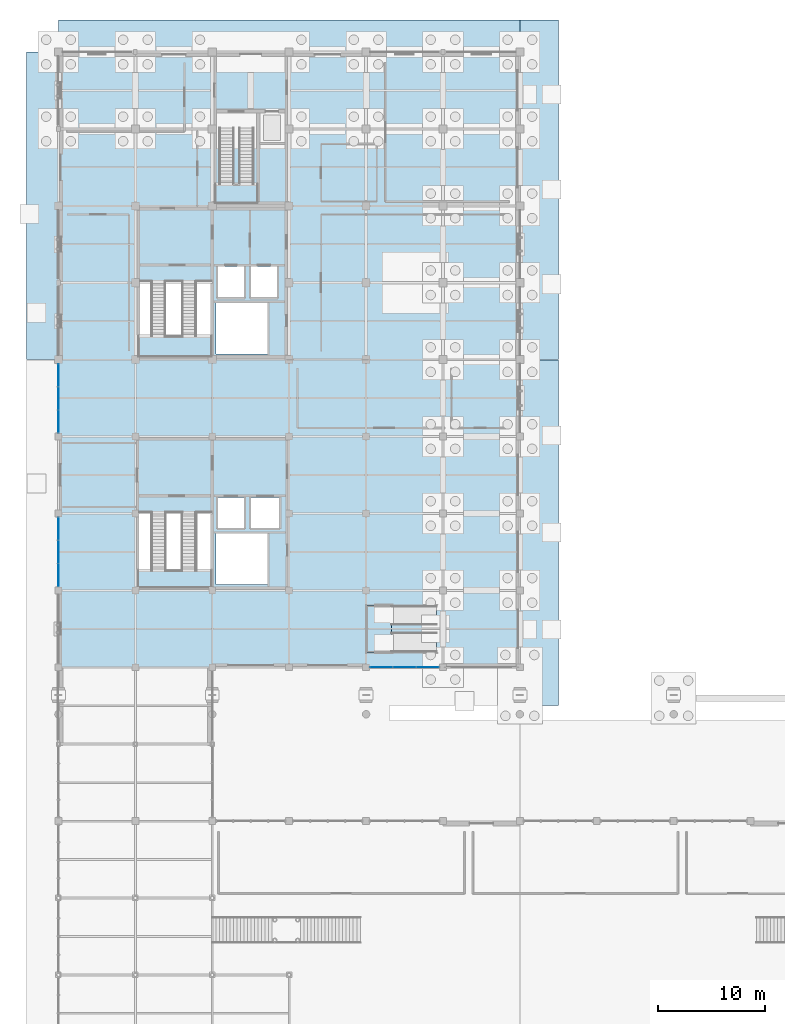
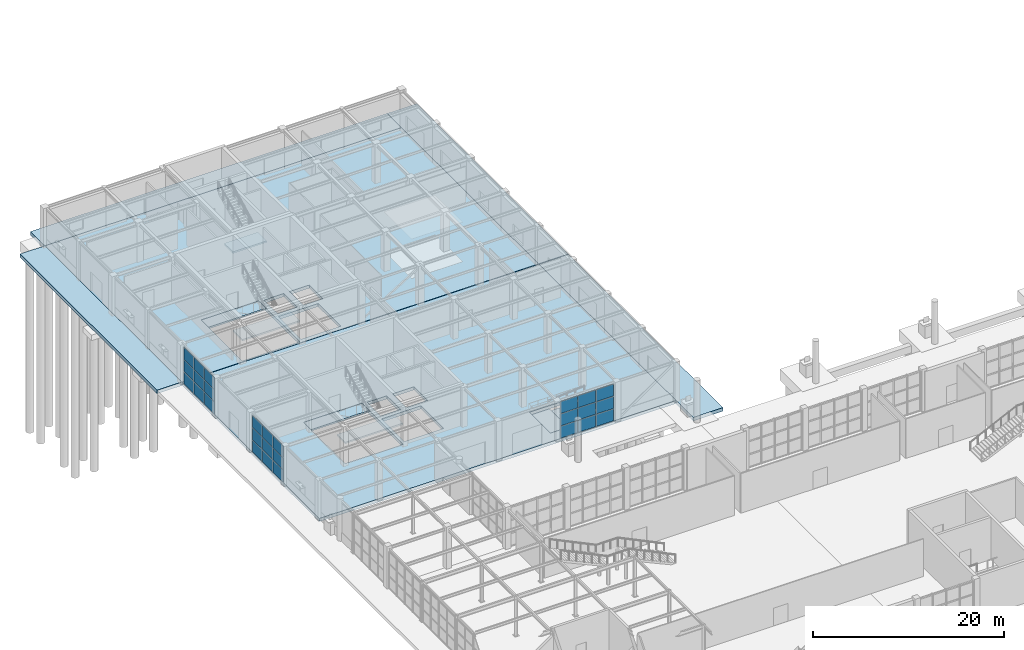
# One storey, part 48 of 75: 27 plates, 13 slabs, 7 elements without a shape of their own.
"""IFC4 building model written with IfcOpenShell, lengths in metres."""

from ifc_helpers import new_model, si_unit, direction, frame, origin, origin_2d, place, context, subcontext, project, spatial, polyline, rectangle, outline, extrude, material, layer, layer_set, type_object, element, aggregate, save


model = new_model("IFC4")

# Units and contexts
model_context = context("Model", 3, precision=1e-05, world=origin(), true_north=direction((0.0, 1.0)))
body_context = subcontext(model_context, "Body", "Model", "MODEL_VIEW")
ifc_project = project(units=[si_unit("LENGTHUNIT", "METRE"), si_unit("AREAUNIT", "SQUARE_METRE"), si_unit("VOLUMEUNIT", "CUBIC_METRE"), si_unit("PLANEANGLEUNIT", "RADIAN"), si_unit("MASSUNIT", "GRAM", prefix="KILO")], contexts=[model_context])

# Site, building, storey
site_placement = place(None, origin())
site = spatial("IfcSite", under=ifc_project, at=site_placement, CompositionType="ELEMENT")
building_placement = place(site_placement, origin())
building = spatial("IfcBuilding", under=site, at=building_placement, Name="Leyfeld Transit Interchange", CompositionType="ELEMENT")
storey_placement = place(building_placement, origin())
storey = spatial("IfcBuildingStorey", under=building, at=storey_placement, Name="L00", CompositionType="ELEMENT", Elevation=0.0)

# Curtain wall, plates
ifc_material_1 = material(Name="Anodised aluminium EN AW-6060 T66", Category="aluminium")
curtain_wall_type = type_object("IfcCurtainWallType", Name="CW-SYS-CYC-7200", PredefinedType="NOTDEFINED", material=ifc_material_1)
curtain_wall_1_placement = place(storey_placement, origin())
curtain_wall_1 = element("IfcCurtainWall", 1, at=curtain_wall_1_placement, inside=storey, type_object=curtain_wall_type, Name="Curtain Wall CW-L00-007", PredefinedType="NOTDEFINED")
ifc_material_2 = material(Name="Triple low-E insulated glazing", Category="glass")
ifc_layer_1 = layer(ifc_material_2, 0.0380859375, Name="Triple low-E insulated glazing")
ifc_layer_set_1 = layer_set([ifc_layer_1], Name="Triple low-E insulated glazing")
plate_type = type_object("IfcPlateType", Name="CW-PNL-GLZ-38", PredefinedType="CURTAIN_PANEL", material=ifc_layer_set_1)
plate_1_placement = place(storey_placement, frame((0.0, 73.42626953125, 0.0634765625), z_axis=(0.0, 0.0, 1.0), x_axis=(0.0, 1.0, 0.0)))
plate_1 = element("IfcPlate", 2, at=plate_1_placement, type_object=plate_type, Name="Glazed Curtain Panel CW-L00-007-P01_1", PredefinedType="CURTAIN_PANEL", context=body_context, shape_type="SweptSolid", body=[
    extrude(rectangle(XDim=2.095458984375, YDim=0.0380859375, at=origin_2d()), origin(), (0.0, 0.0, 1.0), 1.512939453125),
])
plate_2_placement = place(storey_placement, frame((0.0, 73.42626953125, 1.638671875), z_axis=(0.0, 0.0, 1.0), x_axis=(0.0, 1.0, 0.0)))
plate_2 = element("IfcPlate", 3, at=plate_2_placement, type_object=plate_type, Name="Glazed Curtain Panel CW-L00-007-P01_2", PredefinedType="CURTAIN_PANEL", context=body_context, shape_type="SweptSolid", body=[
    extrude(rectangle(XDim=2.095458984375, YDim=0.0380859375, at=origin_2d()), origin(), (0.0, 0.0, 1.0), 1.512939453125),
])
plate_3_placement = place(storey_placement, frame((0.0, 73.42626953125, 3.21337890625), z_axis=(0.0, 0.0, 1.0), x_axis=(0.0, 1.0, 0.0)))
plate_3 = element("IfcPlate", 4, at=plate_3_placement, type_object=plate_type, Name="Glazed Curtain Panel CW-L00-007-P01_3", PredefinedType="CURTAIN_PANEL", context=body_context, shape_type="SweptSolid", body=[
    extrude(rectangle(XDim=2.095458984375, YDim=0.0380859375, at=origin_2d()), origin(), (0.0, 0.0, 1.0), 1.512939453125),
])
plate_4_placement = place(storey_placement, frame((0.0, 75.60009765625, 0.0634765625), z_axis=(0.0, 0.0, 1.0), x_axis=(0.0, 1.0, 0.0)))
plate_4 = element("IfcPlate", 5, at=plate_4_placement, type_object=plate_type, Name="Glazed Curtain Panel CW-L00-007-P02_1", PredefinedType="CURTAIN_PANEL", context=body_context, shape_type="SweptSolid", body=[
    extrude(rectangle(XDim=2.1279296875, YDim=0.0380859375, at=origin_2d()), origin(), (0.0, 0.0, 1.0), 1.512939453125),
])
plate_5_placement = place(storey_placement, frame((0.0, 75.60009765625, 1.638671875), z_axis=(0.0, 0.0, 1.0), x_axis=(0.0, 1.0, 0.0)))
plate_5 = element("IfcPlate", 6, at=plate_5_placement, type_object=plate_type, Name="Glazed Curtain Panel CW-L00-007-P02_2", PredefinedType="CURTAIN_PANEL", context=body_context, shape_type="SweptSolid", body=[
    extrude(rectangle(XDim=2.1279296875, YDim=0.0380859375, at=origin_2d()), origin(), (0.0, 0.0, 1.0), 1.512939453125),
])
plate_6_placement = place(storey_placement, frame((0.0, 75.60009765625, 3.21337890625), z_axis=(0.0, 0.0, 1.0), x_axis=(0.0, 1.0, 0.0)))
plate_6 = element("IfcPlate", 7, at=plate_6_placement, type_object=plate_type, Name="Glazed Curtain Panel CW-L00-007-P02_3", PredefinedType="CURTAIN_PANEL", context=body_context, shape_type="SweptSolid", body=[
    extrude(rectangle(XDim=2.1279296875, YDim=0.0380859375, at=origin_2d()), origin(), (0.0, 0.0, 1.0), 1.512939453125),
])
plate_7_placement = place(storey_placement, frame((0.0, 77.773681640625, 0.0634765625), z_axis=(0.0, 0.0, 1.0), x_axis=(0.0, 1.0, 0.0)))
plate_7 = element("IfcPlate", 8, at=plate_7_placement, type_object=plate_type, Name="Glazed Curtain Panel CW-L00-007-P03_1", PredefinedType="CURTAIN_PANEL", context=body_context, shape_type="SweptSolid", body=[
    extrude(rectangle(XDim=2.095458984375, YDim=0.0380859375, at=origin_2d()), origin(), (0.0, 0.0, 1.0), 1.512939453125),
])
plate_8_placement = place(storey_placement, frame((0.0, 77.773681640625, 1.638671875), z_axis=(0.0, 0.0, 1.0), x_axis=(0.0, 1.0, 0.0)))
plate_8 = element("IfcPlate", 9, at=plate_8_placement, type_object=plate_type, Name="Glazed Curtain Panel CW-L00-007-P03_2", PredefinedType="CURTAIN_PANEL", context=body_context, shape_type="SweptSolid", body=[
    extrude(rectangle(XDim=2.095458984375, YDim=0.0380859375, at=origin_2d()), origin(), (0.0, 0.0, 1.0), 1.512939453125),
])
plate_9_placement = place(storey_placement, frame((0.0, 77.773681640625, 3.21337890625), z_axis=(0.0, 0.0, 1.0), x_axis=(0.0, 1.0, 0.0)))
plate_9 = element("IfcPlate", 10, at=plate_9_placement, type_object=plate_type, Name="Glazed Curtain Panel CW-L00-007-P03_3", PredefinedType="CURTAIN_PANEL", context=body_context, shape_type="SweptSolid", body=[
    extrude(rectangle(XDim=2.095458984375, YDim=0.0380859375, at=origin_2d()), origin(), (0.0, 0.0, 1.0), 1.512939453125),
])
aggregate(curtain_wall_1, [plate_1, plate_2, plate_3, plate_4, plate_5, plate_6, plate_7, plate_8, plate_9])

curtain_wall_2_placement = place(storey_placement, origin())
curtain_wall_2 = element("IfcCurtainWall", 11, at=curtain_wall_2_placement, inside=storey, type_object=curtain_wall_type, Name="Curtain Wall CW-L00-008", PredefinedType="NOTDEFINED")
plate_10_placement = place(storey_placement, frame((0.0, 87.81787109375, 0.0634765625), z_axis=(0.0, 0.0, 1.0), x_axis=(0.0, 1.0, 0.0)))
plate_10 = element("IfcPlate", 12, at=plate_10_placement, type_object=plate_type, Name="Glazed Curtain Panel CW-L00-008-P01_1", PredefinedType="CURTAIN_PANEL", context=body_context, shape_type="SweptSolid", body=[
    extrude(rectangle(XDim=2.078857421875, YDim=0.0380859375, at=origin_2d()), origin(), (0.0, 0.0, 1.0), 1.512939453125),
])
plate_11_placement = place(storey_placement, frame((0.0, 87.81787109375, 1.638671875), z_axis=(0.0, 0.0, 1.0), x_axis=(0.0, 1.0, 0.0)))
plate_11 = element("IfcPlate", 13, at=plate_11_placement, type_object=plate_type, Name="Glazed Curtain Panel CW-L00-008-P01_2", PredefinedType="CURTAIN_PANEL", context=body_context, shape_type="SweptSolid", body=[
    extrude(rectangle(XDim=2.078857421875, YDim=0.0380859375, at=origin_2d()), origin(), (0.0, 0.0, 1.0), 1.512939453125),
])
plate_12_placement = place(storey_placement, frame((0.0, 87.81787109375, 3.21337890625), z_axis=(0.0, 0.0, 1.0), x_axis=(0.0, 1.0, 0.0)))
plate_12 = element("IfcPlate", 14, at=plate_12_placement, type_object=plate_type, Name="Glazed Curtain Panel CW-L00-008-P01_3", PredefinedType="CURTAIN_PANEL", context=body_context, shape_type="SweptSolid", body=[
    extrude(rectangle(XDim=2.078857421875, YDim=0.0380859375, at=origin_2d()), origin(), (0.0, 0.0, 1.0), 1.512939453125),
])
plate_13_placement = place(storey_placement, frame((0.0, 89.97509765625, 0.0634765625), z_axis=(0.0, 0.0, 1.0), x_axis=(0.0, 1.0, 0.0)))
plate_13 = element("IfcPlate", 15, at=plate_13_placement, type_object=plate_type, Name="Glazed Curtain Panel CW-L00-008-P02_1", PredefinedType="CURTAIN_PANEL", context=body_context, shape_type="SweptSolid", body=[
    extrude(rectangle(XDim=2.111328125, YDim=0.0380859375, at=origin_2d()), origin(), (0.0, 0.0, 1.0), 1.512939453125),
])
plate_14_placement = place(storey_placement, frame((0.0, 89.97509765625, 1.638671875), z_axis=(0.0, 0.0, 1.0), x_axis=(0.0, 1.0, 0.0)))
plate_14 = element("IfcPlate", 16, at=plate_14_placement, type_object=plate_type, Name="Glazed Curtain Panel CW-L00-008-P02_2", PredefinedType="CURTAIN_PANEL", context=body_context, shape_type="SweptSolid", body=[
    extrude(rectangle(XDim=2.111328125, YDim=0.0380859375, at=origin_2d()), origin(), (0.0, 0.0, 1.0), 1.512939453125),
])
plate_15_placement = place(storey_placement, frame((0.0, 89.97509765625, 3.21337890625), z_axis=(0.0, 0.0, 1.0), x_axis=(0.0, 1.0, 0.0)))
plate_15 = element("IfcPlate", 17, at=plate_15_placement, type_object=plate_type, Name="Glazed Curtain Panel CW-L00-008-P02_3", PredefinedType="CURTAIN_PANEL", context=body_context, shape_type="SweptSolid", body=[
    extrude(rectangle(XDim=2.111328125, YDim=0.0380859375, at=origin_2d()), origin(), (0.0, 0.0, 1.0), 1.512939453125),
])
plate_16_placement = place(storey_placement, frame((0.0, 92.132080078125, 0.0634765625), z_axis=(0.0, 0.0, 1.0), x_axis=(0.0, 1.0, 0.0)))
plate_16 = element("IfcPlate", 18, at=plate_16_placement, type_object=plate_type, Name="Glazed Curtain Panel CW-L00-008-P03_1", PredefinedType="CURTAIN_PANEL", context=body_context, shape_type="SweptSolid", body=[
    extrude(rectangle(XDim=2.078857421875, YDim=0.0380859375, at=origin_2d()), origin(), (0.0, 0.0, 1.0), 1.512939453125),
])
plate_17_placement = place(storey_placement, frame((0.0, 92.132080078125, 1.638671875), z_axis=(0.0, 0.0, 1.0), x_axis=(0.0, 1.0, 0.0)))
plate_17 = element("IfcPlate", 19, at=plate_17_placement, type_object=plate_type, Name="Glazed Curtain Panel CW-L00-008-P03_2", PredefinedType="CURTAIN_PANEL", context=body_context, shape_type="SweptSolid", body=[
    extrude(rectangle(XDim=2.078857421875, YDim=0.0380859375, at=origin_2d()), origin(), (0.0, 0.0, 1.0), 1.512939453125),
])
plate_18_placement = place(storey_placement, frame((0.0, 92.132080078125, 3.21337890625), z_axis=(0.0, 0.0, 1.0), x_axis=(0.0, 1.0, 0.0)))
plate_18 = element("IfcPlate", 20, at=plate_18_placement, type_object=plate_type, Name="Glazed Curtain Panel CW-L00-008-P03_3", PredefinedType="CURTAIN_PANEL", context=body_context, shape_type="SweptSolid", body=[
    extrude(rectangle(XDim=2.078857421875, YDim=0.0380859375, at=origin_2d()), origin(), (0.0, 0.0, 1.0), 1.512939453125),
])
aggregate(curtain_wall_2, [plate_10, plate_11, plate_12, plate_13, plate_14, plate_15, plate_16, plate_17, plate_18])

curtain_wall_3_placement = place(storey_placement, origin())
curtain_wall_3 = element("IfcCurtainWall", 21, at=curtain_wall_3_placement, inside=storey, type_object=curtain_wall_type, Name="Curtain Wall CW-L00-009", PredefinedType="NOTDEFINED")
plate_19_placement = place(storey_placement, frame((34.57373046875, 64.800048828125, 0.0634765625), z_axis=(0.0, 0.0, 1.0), x_axis=(-1.0, 0.0, 0.0)))
plate_19 = element("IfcPlate", 22, at=plate_19_placement, type_object=plate_type, Name="Glazed Curtain Panel CW-L00-009-P01_1", PredefinedType="CURTAIN_PANEL", context=body_context, shape_type="SweptSolid", body=[
    extrude(rectangle(XDim=2.095458984375, YDim=0.0380859375, at=origin_2d()), origin(), (0.0, 0.0, 1.0), 1.52294921875),
])
plate_20_placement = place(storey_placement, frame((34.57373046875, 64.800048828125, 1.6484375), z_axis=(0.0, 0.0, 1.0), x_axis=(-1.0, 0.0, 0.0)))
plate_20 = element("IfcPlate", 23, at=plate_20_placement, type_object=plate_type, Name="Glazed Curtain Panel CW-L00-009-P01_2", PredefinedType="CURTAIN_PANEL", context=body_context, shape_type="SweptSolid", body=[
    extrude(rectangle(XDim=2.095458984375, YDim=0.0380859375, at=origin_2d()), origin(), (0.0, 0.0, 1.0), 1.52294921875),
])
plate_21_placement = place(storey_placement, frame((34.57373046875, 64.800048828125, 3.233642578125), z_axis=(0.0, 0.0, 1.0), x_axis=(-1.0, 0.0, 0.0)))
plate_21 = element("IfcPlate", 24, at=plate_21_placement, type_object=plate_type, Name="Glazed Curtain Panel CW-L00-009-P01_3", PredefinedType="CURTAIN_PANEL", context=body_context, shape_type="SweptSolid", body=[
    extrude(rectangle(XDim=2.095458984375, YDim=0.0380859375, at=origin_2d()), origin(), (0.0, 0.0, 1.0), 1.52294921875),
])
plate_22_placement = place(storey_placement, frame((32.39990234375, 64.800048828125, 0.0634765625), z_axis=(0.0, 0.0, 1.0), x_axis=(-1.0, 0.0, 0.0)))
plate_22 = element("IfcPlate", 25, at=plate_22_placement, type_object=plate_type, Name="Glazed Curtain Panel CW-L00-009-P02_1", PredefinedType="CURTAIN_PANEL", context=body_context, shape_type="SweptSolid", body=[
    extrude(rectangle(XDim=2.1279296875, YDim=0.0380859375, at=origin_2d()), origin(), (0.0, 0.0, 1.0), 1.52294921875),
])
plate_23_placement = place(storey_placement, frame((32.39990234375, 64.800048828125, 1.6484375), z_axis=(0.0, 0.0, 1.0), x_axis=(-1.0, 0.0, 0.0)))
plate_23 = element("IfcPlate", 26, at=plate_23_placement, type_object=plate_type, Name="Glazed Curtain Panel CW-L00-009-P02_2", PredefinedType="CURTAIN_PANEL", context=body_context, shape_type="SweptSolid", body=[
    extrude(rectangle(XDim=2.1279296875, YDim=0.0380859375, at=origin_2d()), origin(), (0.0, 0.0, 1.0), 1.52294921875),
])
plate_24_placement = place(storey_placement, frame((32.39990234375, 64.800048828125, 3.233642578125), z_axis=(0.0, 0.0, 1.0), x_axis=(-1.0, 0.0, 0.0)))
plate_24 = element("IfcPlate", 27, at=plate_24_placement, type_object=plate_type, Name="Glazed Curtain Panel CW-L00-009-P02_3", PredefinedType="CURTAIN_PANEL", context=body_context, shape_type="SweptSolid", body=[
    extrude(rectangle(XDim=2.1279296875, YDim=0.0380859375, at=origin_2d()), origin(), (0.0, 0.0, 1.0), 1.52294921875),
])
plate_25_placement = place(storey_placement, frame((30.226318359375, 64.800048828125, 0.0634765625), z_axis=(0.0, 0.0, 1.0), x_axis=(-1.0, 0.0, 0.0)))
plate_25 = element("IfcPlate", 28, at=plate_25_placement, type_object=plate_type, Name="Glazed Curtain Panel CW-L00-009-P03_1", PredefinedType="CURTAIN_PANEL", context=body_context, shape_type="SweptSolid", body=[
    extrude(rectangle(XDim=2.095458984375, YDim=0.0380859375, at=origin_2d()), origin(), (0.0, 0.0, 1.0), 1.52294921875),
])
plate_26_placement = place(storey_placement, frame((30.226318359375, 64.800048828125, 1.6484375), z_axis=(0.0, 0.0, 1.0), x_axis=(-1.0, 0.0, 0.0)))
plate_26 = element("IfcPlate", 29, at=plate_26_placement, type_object=plate_type, Name="Glazed Curtain Panel CW-L00-009-P03_2", PredefinedType="CURTAIN_PANEL", context=body_context, shape_type="SweptSolid", body=[
    extrude(rectangle(XDim=2.095458984375, YDim=0.0380859375, at=origin_2d()), origin(), (0.0, 0.0, 1.0), 1.52294921875),
])
plate_27_placement = place(storey_placement, frame((30.226318359375, 64.800048828125, 3.233642578125), z_axis=(0.0, 0.0, 1.0), x_axis=(-1.0, 0.0, 0.0)))
plate_27 = element("IfcPlate", 30, at=plate_27_placement, type_object=plate_type, Name="Glazed Curtain Panel CW-L00-009-P03_3", PredefinedType="CURTAIN_PANEL", context=body_context, shape_type="SweptSolid", body=[
    extrude(rectangle(XDim=2.095458984375, YDim=0.0380859375, at=origin_2d()), origin(), (0.0, 0.0, 1.0), 1.52294921875),
])
aggregate(curtain_wall_3, [plate_19, plate_20, plate_21, plate_22, plate_23, plate_24, plate_25, plate_26, plate_27])

# Slabs
ifc_material_3 = material(Name="Concrete C35/45", Category="concrete")
ifc_layer_2 = layer(ifc_material_3, 0.39990234375, Name="Concrete C35/45")
ifc_layer_set_2 = layer_set([ifc_layer_2], Name="Concrete C35/45")
slab_type_1 = type_object("IfcSlabType", Name="SLB-FLR-400", PredefinedType="FLOOR", material=ifc_layer_set_2)
slab_1_placement = place(storey_placement, frame((0.0, 0.0, -0.39990234375)))
element("IfcSlab", 31, at=slab_1_placement, inside=storey, type_object=slab_type_1, Name="Slab V3 L00 B1", PredefinedType="FLOOR", context=body_context, shape_type="SweptSolid", body=[
    extrude(outline(polyline([(43.199951171875, 64.800048828125), (43.199951171875, 93.574951171875), (0.0, 93.574951171875), (0.0, 64.800048828125), (43.199951171875, 64.800048828125)]), holes=[polyline([(14.39990234375, 72.175048828125), (7.375, 72.175048828125), (7.375, 80.85009765625), (14.39990234375, 80.85009765625), (14.39990234375, 72.175048828125)]), polyline([(14.75, 72.550048828125), (14.75, 77.320068359375), (19.550048828125, 77.320068359375), (19.550048828125, 72.550048828125), (14.75, 72.550048828125)]), polyline([(14.949951171875, 80.699951171875), (17.35009765625, 80.699951171875), (17.35009765625, 77.85009765625), (14.949951171875, 77.85009765625), (14.949951171875, 80.699951171875)]), polyline([(20.64990234375, 80.699951171875), (20.64990234375, 77.85009765625), (18.050048828125, 77.85009765625), (18.050048828125, 80.699951171875), (20.64990234375, 80.699951171875)]), polyline([(35.39697265625, 66.199951171875), (28.800048828125, 66.199951171875), (28.800048828125, 70.60009765625), (35.39697265625, 70.60009765625), (35.39697265625, 66.199951171875)])]), origin(), (0.0, 0.0, 1.0), 0.39990234375),
])
slab_2_placement = place(storey_placement, frame((0.0, 0.0, -0.39990234375)))
element("IfcSlab", 32, at=slab_2_placement, inside=storey, type_object=slab_type_1, Name="Slab V5 L00 B1", PredefinedType="FLOOR", context=body_context, shape_type="SweptSolid", body=[
    extrude(outline(polyline([(0.0, 93.625), (43.199951171875, 93.625), (43.199951171875, 122.39990234375), (0.0, 122.39990234375), (0.0, 93.625)]), holes=[polyline([(14.39990234375, 93.824951171875), (7.425048828125, 93.824951171875), (7.425048828125, 102.449951171875), (14.39990234375, 102.449951171875), (14.39990234375, 93.824951171875)]), polyline([(14.75, 94.14990234375), (14.75, 98.919921875), (19.550048828125, 98.919921875), (19.550048828125, 94.14990234375), (14.75, 94.14990234375)]), polyline([(14.949951171875, 102.300048828125), (17.35009765625, 102.300048828125), (17.35009765625, 99.449951171875), (14.949951171875, 99.449951171875), (14.949951171875, 102.300048828125)]), polyline([(20.449951171875, 102.300048828125), (20.449951171875, 99.449951171875), (18.050048828125, 99.449951171875), (18.050048828125, 102.300048828125), (20.449951171875, 102.300048828125)])]), origin(), (0.0, 0.0, 1.0), 0.39990234375),
])
ifc_material_4 = material(Name="Precast concrete C40/50", Category="concrete")
ifc_layer_3 = layer(ifc_material_4, 0.199951171875, Name="Precast concrete C40/50")
ifc_layer_set_3 = layer_set([ifc_layer_3], Name="Precast concrete C40/50")
slab_type_2 = type_object("IfcSlabType", Name="SLB-LND-200", PredefinedType="LANDING", material=ifc_layer_set_3)
slab_3_placement = place(storey_placement, frame((0.0, 0.0, -0.199951171875)))
element("IfcSlab", 33, at=slab_3_placement, inside=storey, type_object=slab_type_2, Name="Core K1 Stair Floor Landing L00", PredefinedType="LANDING", context=body_context, shape_type="SweptSolid", body=[
    extrude(outline(polyline([(7.429931640625, 100.89990234375), (14.39501953125, 100.89990234375), (14.39501953125, 102.445068359375), (7.429931640625, 102.445068359375), (7.429931640625, 100.89990234375)])), origin(), (0.0, 0.0, 1.0), 0.199951171875),
])

# Stair, slab
stair_type_1 = type_object("IfcStairType", Name="STR-HT-150x300", PredefinedType="HALF_TURN_STAIR", material=ifc_material_4)
stair_1_placement = place(storey_placement, origin())
stair_1 = element("IfcStair", 34, at=stair_1_placement, inside=storey, type_object=stair_type_1, Name="Exit Stair ST-01 (L00 to L01)", PredefinedType="HALF_TURN_STAIR")
slab_4_placement = place(storey_placement, frame((0.0, 0.0, 2.5)))
slab_4 = element("IfcSlab", 35, at=slab_4_placement, type_object=slab_type_2, Name="Stair ST-01 L00 Half Landing", PredefinedType="LANDING", context=body_context, shape_type="SweptSolid", body=[
    extrude(outline(polyline([(7.429931640625, 93.830078125), (14.39501953125, 93.830078125), (14.39501953125, 95.800048828125), (7.429931640625, 95.800048828125), (7.429931640625, 93.830078125)])), origin(), (0.0, 0.0, 1.0), 0.199951171875),
])
aggregate(stair_1, [slab_4])

stair_type_2 = type_object("IfcStairType", Name="STR-HT-150x310", PredefinedType="HALF_TURN_STAIR", material=ifc_material_4)
stair_2_placement = place(storey_placement, origin())
stair_2 = element("IfcStair", 36, at=stair_2_placement, inside=storey, type_object=stair_type_2, Name="Exit Stair ST-02 (L00 to L01)", PredefinedType="HALF_TURN_STAIR")
slab_5_placement = place(storey_placement, frame((0.0, 0.0, 2.5)))
slab_5 = element("IfcSlab", 37, at=slab_5_placement, type_object=slab_type_2, Name="Stair ST-02 L00 Half Landing", PredefinedType="LANDING", context=body_context, shape_type="SweptSolid", body=[
    extrude(outline(polyline([(14.60498046875, 108.205078125), (18.695068359375, 108.205078125), (18.695068359375, 110.030029296875), (14.60498046875, 110.030029296875), (14.60498046875, 108.205078125)])), origin(), (0.0, 0.0, 1.0), 0.199951171875),
])
aggregate(stair_2, [slab_5])

# Slab
slab_6_placement = place(storey_placement, frame((0.0, 0.0, -0.199951171875)))
element("IfcSlab", 38, at=slab_6_placement, inside=storey, type_object=slab_type_2, Name="Core K3 Stair Floor Landing L00", PredefinedType="LANDING", context=body_context, shape_type="SweptSolid", body=[
    extrude(outline(polyline([(7.3798828125, 79.300048828125), (14.39501953125, 79.300048828125), (14.39501953125, 80.844970703125), (7.3798828125, 80.844970703125), (7.3798828125, 79.300048828125)])), origin(), (0.0, 0.0, 1.0), 0.199951171875),
])

# Stair, slab
stair_type_3 = type_object("IfcStairType", Name="STR-HT-150x320", PredefinedType="HALF_TURN_STAIR", material=ifc_material_4)
stair_3_placement = place(storey_placement, origin())
stair_3 = element("IfcStair", 39, at=stair_3_placement, inside=storey, type_object=stair_type_3, Name="Exit Stair ST-03 (L00 to L01)", PredefinedType="HALF_TURN_STAIR")
slab_7_placement = place(storey_placement, frame((0.0, 0.0, 2.5)))
slab_7 = element("IfcSlab", 40, at=slab_7_placement, type_object=slab_type_2, Name="Stair ST-03 L00 Half Landing", PredefinedType="LANDING", context=body_context, shape_type="SweptSolid", body=[
    extrude(outline(polyline([(7.3798828125, 72.179931640625), (14.39501953125, 72.179931640625), (14.39501953125, 73.860107421875), (7.3798828125, 73.860107421875), (7.3798828125, 72.179931640625)])), origin(), (0.0, 0.0, 1.0), 0.199951171875),
])
aggregate(stair_3, [slab_7])

# Ramp, slab
ramp_type = type_object("IfcRampType", Name="RMP-CYC-HT", PredefinedType="HALF_TURN_RAMP", material=ifc_material_3)
ramp_placement = place(storey_placement, origin())
ramp = element("IfcRamp", 41, at=ramp_placement, inside=storey, type_object=ramp_type, Name="Cycle Hub 1:12 Ramp L00", PredefinedType="HALF_TURN_RAMP")
slab_8_placement = place(storey_placement, frame((0.0, 0.0, -0.550048828125)))
slab_8 = element("IfcSlab", 42, at=slab_8_placement, type_object=slab_type_2, Name="Cycle Ramp L00 Half Landing", PredefinedType="LANDING", context=body_context, shape_type="SweptSolid", body=[
    extrude(outline(polyline([(28.85009765625, 66.25), (31.199951171875, 66.25), (31.199951171875, 70.550048828125), (28.85009765625, 70.550048828125), (28.85009765625, 66.25)])), origin(), (0.0, 0.0, 1.0), 0.199951171875),
])
aggregate(ramp, [slab_8])

# Slabs
ifc_layer_4 = layer(ifc_material_3, 0.300048828125, Name="Concrete C35/45")
ifc_layer_set_4 = layer_set([ifc_layer_4], Name="Concrete C35/45")
slab_type_3 = type_object("IfcSlabType", Name="SLB-TERR-300", PredefinedType="FLOOR", material=ifc_layer_set_4)
slab_9_placement = place(storey_placement, frame((0.0, 0.0, -1.0)))
element("IfcSlab", 43, at=slab_9_placement, inside=storey, type_object=slab_type_3, Name="Slab V3 Cycle Ramp Pit L00", PredefinedType="FLOOR", context=body_context, shape_type="SweptSolid", body=[
    extrude(outline(polyline([(28.800048828125, 66.199951171875), (35.39990234375, 66.199951171875), (35.39990234375, 70.60009765625), (28.800048828125, 70.60009765625), (28.800048828125, 66.199951171875)])), origin(), (0.0, 0.0, 1.0), 0.300048828125),
])
ifc_material_5 = material(Name="Concrete C40/50", Category="concrete")
ifc_layer_5 = layer(ifc_material_5, 0.449951171875, Name="Concrete C40/50")
ifc_layer_set_5 = layer_set([ifc_layer_5], Name="Concrete C40/50")
slab_type_4 = type_object("IfcSlabType", Name="SLB-TRF-450", PredefinedType="FLOOR", material=ifc_layer_set_5)
slab_10_placement = place(storey_placement, frame((0.0, 0.0, -0.449951171875)))
element("IfcSlab", 44, at=slab_10_placement, inside=storey, type_object=slab_type_4, Name="Outdoor Roof Terrace PLZ_LID2 L00", PredefinedType="FLOOR", context=body_context, shape_type="SweptSolid", body=[
    extrude(outline(polyline([(-3.0, 122.39990234375), (-3.0, 93.625), (0.0, 93.625), (0.0, 122.39990234375), (-3.0, 122.39990234375)])), origin(), (0.0, 0.0, 1.0), 0.449951171875),
])
slab_11_placement = place(storey_placement, frame((0.0, 0.0, -0.449951171875)))
element("IfcSlab", 45, at=slab_11_placement, inside=storey, type_object=slab_type_4, Name="Outdoor Roof Terrace PLZ_LID3 L00", PredefinedType="FLOOR", context=body_context, shape_type="SweptSolid", body=[
    extrude(outline(polyline([(0.0, 122.39990234375), (43.199951171875, 122.39990234375), (43.199951171875, 125.39990234375), (0.0, 125.39990234375), (0.0, 122.39990234375)])), origin(), (0.0, 0.0, 1.0), 0.449951171875),
])
slab_12_placement = place(storey_placement, frame((0.0, 0.0, -0.449951171875)))
element("IfcSlab", 46, at=slab_12_placement, inside=storey, type_object=slab_type_4, Name="Outdoor Roof Terrace PLZ_LID3 L00", PredefinedType="FLOOR", context=body_context, shape_type="SweptSolid", body=[
    extrude(outline(polyline([(46.800048828125, 125.39990234375), (43.199951171875, 125.39990234375), (43.199951171875, 122.39990234375), (43.199951171875, 93.625), (46.800048828125, 93.625), (46.800048828125, 125.39990234375)])), origin(), (0.0, 0.0, 1.0), 0.449951171875),
])
slab_13_placement = place(storey_placement, frame((0.0, 0.0, -0.449951171875)))
element("IfcSlab", 47, at=slab_13_placement, inside=storey, type_object=slab_type_4, Name="Outdoor Roof Terrace PLZ_LID3 L00", PredefinedType="FLOOR", context=body_context, shape_type="SweptSolid", body=[
    extrude(outline(polyline([(46.800048828125, 93.574951171875), (43.199951171875, 93.574951171875), (43.199951171875, 93.574951171875), (43.199951171875, 64.800048828125), (43.199951171875, 61.199951171875), (46.800048828125, 61.199951171875), (46.800048828125, 93.574951171875)])), origin(), (0.0, 0.0, 1.0), 0.449951171875),
])

save(model, "model.ifc")
